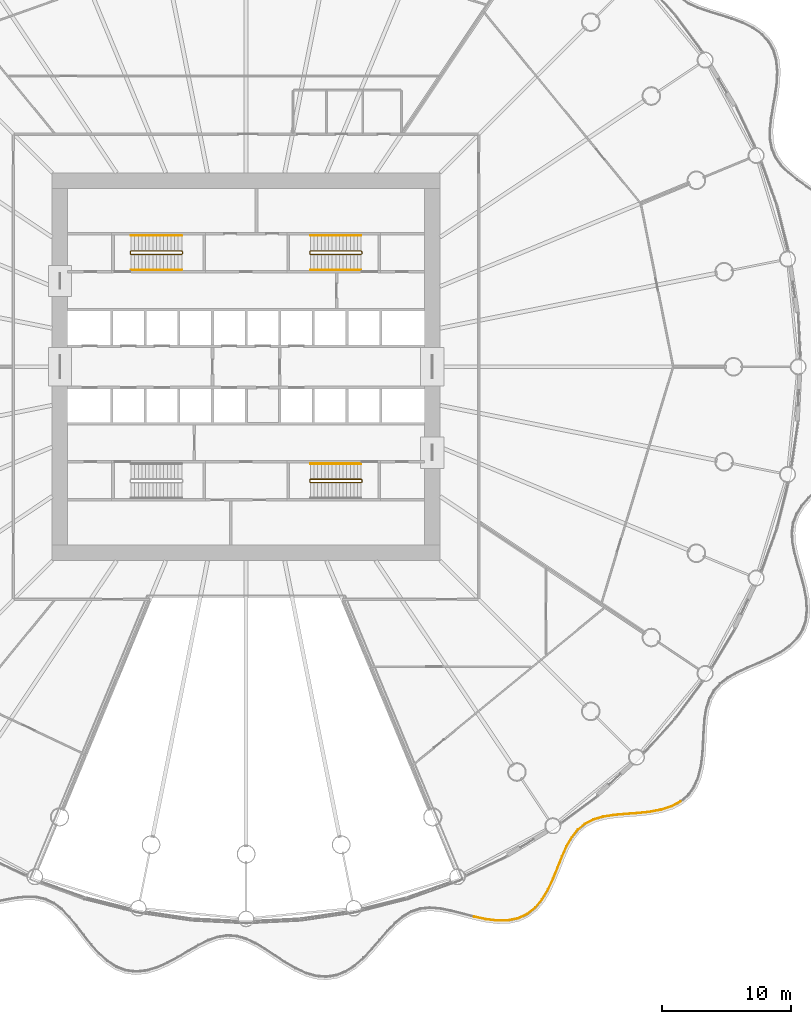
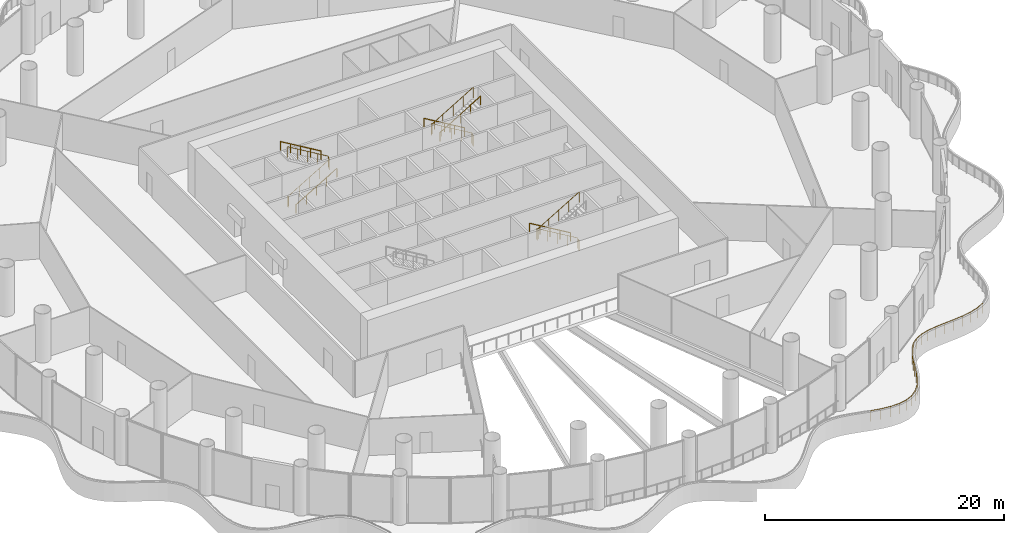
# One storey, part 33 of 36: 9 railings.
"""IFC4 building model written with IfcOpenShell, lengths in metres."""

from ifc_helpers import new_model, si_unit, direction, frame, origin, origin_2d, place, context, subcontext, project, spatial, circle, extrude, material, type_object, element, save


model = new_model("IFC4")

# Units and contexts
model_context = context("Model", 3, precision=1e-05, world=origin(), true_north=direction((0.0, 1.0)))
body_context = subcontext(model_context, "Body", "Model", "MODEL_VIEW")
ifc_project = project(units=[si_unit("LENGTHUNIT", "METRE"), si_unit("AREAUNIT", "SQUARE_METRE"), si_unit("VOLUMEUNIT", "CUBIC_METRE"), si_unit("PLANEANGLEUNIT", "RADIAN"), si_unit("MASSUNIT", "GRAM", prefix="KILO")], contexts=[model_context])

# Site, building, storey
site_placement = place(None, origin())
site = spatial("IfcSite", under=ifc_project, at=site_placement, CompositionType="ELEMENT")
building_placement = place(site_placement, origin())
building = spatial("IfcBuilding", under=site, at=building_placement, Name="Corvane Civic Tower", CompositionType="ELEMENT")
storey_placement = place(building_placement, frame((0.0, 0.0, 17.0)))
storey = spatial("IfcBuildingStorey", under=building, at=storey_placement, Name="L03", CompositionType="ELEMENT", Elevation=17.0)

# Railings
ifc_material_1 = material(Name="Steel ASTM A572 Gr 50", Category="steel")
railing_type_1 = type_object("IfcRailingType", Name="PODIUM-RL-GUARD-1100", PredefinedType="GUARDRAIL", material=ifc_material_1)
railing_1_placement = place(storey_placement, frame((17.64501953125, -42.54541015625, 0.0)))
element("IfcRailing", 1, at=railing_1_placement, inside=storey, type_object=railing_type_1, Name="L03 ribbon guard 10", PredefinedType="GUARDRAIL", context=body_context, shape_type="SweptSolid", body=[
    extrude(circle(Radius=0.02392578125, at=origin_2d()), frame((0.0, 0.0, 1.076171875), z_axis=(0.977300736575, -0.211856721135, 0.0), x_axis=(0.211856721135, 0.977300736575, 0.0)), (0.0, 0.0, 1.0), 0.90234375),
    extrude(circle(Radius=0.02392578125, at=origin_2d()), frame((0.8818359375, -0.191162109375, 1.076171875), z_axis=(0.992282078148, -0.124001118491, 0.0), x_axis=(0.124001118491, 0.992282078148, 0.0)), (0.0, 0.0, 1.0), 0.893798828125),
    extrude(circle(Radius=0.02392578125, at=origin_2d()), frame((1.768798828125, -0.302001953125, 1.076171875), z_axis=(0.999873829142, 0.015884766205, 0.0), x_axis=(-0.015884766205, 0.999873829142, 0.0)), (0.0, 0.0, 1.0), 0.84521484375),
    extrude(circle(Radius=0.02392578125, at=origin_2d()), frame((2.614013671875, -0.28857421875, 1.076171875), z_axis=(0.978559496335, 0.20596434675, 0.0), x_axis=(-0.20596434675, 0.978559496335, 0.0)), (0.0, 0.0, 1.0), 0.800048828125),
    extrude(circle(Radius=0.02392578125, at=origin_2d()), frame((3.39697265625, -0.123779296875, 1.076171875), z_axis=(0.905958848672, 0.42336575737, 0.0), x_axis=(-0.42336575737, 0.905958848672, 0.0)), (0.0, 0.0, 1.0), 0.779052734375),
    extrude(circle(Radius=0.02392578125, at=origin_2d()), frame((4.102783203125, 0.2060546875, 1.076171875), z_axis=(0.782850211169, 0.622210211161, 0.0), x_axis=(-0.622210211161, 0.782850211169, 0.0)), (0.0, 0.0, 1.0), 0.791748046875),
    extrude(circle(Radius=0.02392578125, at=origin_2d()), frame((4.72265625, 0.69873046875, 1.076171875), z_axis=(0.64055952996, 0.767908515761, 0.0), x_axis=(-0.767908515761, 0.64055952996, 0.0)), (0.0, 0.0, 1.0), 0.83203125),
    extrude(circle(Radius=0.02392578125, at=origin_2d()), frame((5.255615234375, 1.337646484375, 1.076171875), z_axis=(0.515309933617, 0.857003892824, 0.0), x_axis=(-0.857003892824, 0.515309933617, 0.0)), (0.0, 0.0, 1.0), 0.881591796875),
    extrude(circle(Radius=0.02392578125, at=origin_2d()), frame((5.7099609375, 2.09326171875, 1.076171875), z_axis=(0.424916002999, 0.905232782435, 0.0), x_axis=(-0.905232782435, 0.424916002999, 0.0)), (0.0, 0.0, 1.0), 0.921142578125),
    extrude(circle(Radius=0.02392578125, at=origin_2d()), frame((6.101318359375, 2.927001953125, 1.076171875), z_axis=(0.375844544912, 0.926682727831, 0.0), x_axis=(-0.926682727831, 0.375844544912, 0.0)), (0.0, 0.0, 1.0), 0.934814453125),
    extrude(circle(Radius=0.02392578125, at=origin_2d()), frame((6.45263671875, 3.793212890625, 1.076171875), z_axis=(0.36872877104, 0.929537031757, 0.0), x_axis=(-0.929537031757, 0.36872877104, 0.0)), (0.0, 0.0, 1.0), 0.917724609375),
    extrude(circle(Radius=0.02392578125, at=origin_2d()), frame((6.791015625, 4.646240234375, 1.076171875), z_axis=(0.407359011643, 0.913268107202, 0.0), x_axis=(-0.913268107202, 0.407359011643, 0.0)), (0.0, 0.0, 1.0), 0.8720703125),
    extrude(circle(Radius=0.02392578125, at=origin_2d()), frame((7.146240234375, 5.442626953125, 1.076171875), z_axis=(0.494547800989, 0.869150431477, 0.0), x_axis=(-0.869150431477, 0.494547800989, 0.0)), (0.0, 0.0, 1.0), 0.81005859375),
    extrude(circle(Radius=0.02392578125, at=origin_2d()), frame((7.546875, 6.146728515625, 1.076171875), z_axis=(0.625288442745, 0.780393723302, 0.0), x_axis=(-0.780393723302, 0.625288442745, 0.0)), (0.0, 0.0, 1.0), 0.75244140625),
    extrude(circle(Radius=0.02392578125, at=origin_2d()), frame((8.017333984375, 6.73388671875, 1.076171875), z_axis=(0.773218013178, 0.634140287394, 0.0), x_axis=(-0.634140287394, 0.773218013178, 0.0)), (0.0, 0.0, 1.0), 0.721435546875),
    extrude(circle(Radius=0.02392578125, at=origin_2d()), frame((8.5751953125, 7.19140625, 1.076171875), z_axis=(0.893091245841, 0.449875567909, 0.0), x_axis=(-0.449875567909, 0.893091245841, 0.0)), (0.0, 0.0, 1.0), 0.733154296875),
    extrude(circle(Radius=0.02392578125, at=origin_2d()), frame((9.22998046875, 7.521240234375, 1.076171875), z_axis=(0.960669700127, 0.277693585193, 0.0), x_axis=(-0.277693585193, 0.960669700127, 0.0)), (0.0, 0.0, 1.0), 0.78076171875),
    extrude(circle(Radius=0.02392578125, at=origin_2d()), frame((9.97998046875, 7.738037109375, 1.076171875), z_axis=(0.987942969504, 0.154818245075, 0.0), x_axis=(-0.154818245075, 0.987942969504, 0.0)), (0.0, 0.0, 1.0), 0.84375),
    extrude(circle(Radius=0.02392578125, at=origin_2d()), frame((10.8134765625, 7.86865234375, 1.076171875), z_axis=(0.996145220254, 0.087719440061, 0.0), x_axis=(-0.087719440061, 0.996145220254, 0.0)), (0.0, 0.0, 1.0), 0.89892578125),
    extrude(circle(Radius=0.02392578125, at=origin_2d()), frame((11.708984375, 7.947509765625, 1.076171875), z_axis=(0.997356492386, 0.072663794948, 0.0), x_axis=(-0.072663794948, 0.997356492386, 0.0)), (0.0, 0.0, 1.0), 0.9306640625),
    extrude(circle(Radius=0.02392578125, at=origin_2d()), frame((12.63720703125, 8.01513671875, 1.076171875), z_axis=(0.994539880598, 0.104357203395, 0.0), x_axis=(-0.104357203395, 0.994539880598, 0.0)), (0.0, 0.0, 1.0), 0.93115234375),
    extrude(circle(Radius=0.02392578125, at=origin_2d()), frame((13.563232421875, 8.1123046875, 1.076171875), z_axis=(0.983249711201, 0.182263560327, 0.0), x_axis=(-0.182263560327, 0.983249711201, 0.0)), (0.0, 0.0, 1.0), 0.90283203125),
    extrude(circle(Radius=0.02392578125, at=origin_2d()), frame((14.450927734375, 8.27685546875, 1.076171875), z_axis=(0.951552568716, 0.307486111833, 0.0), x_axis=(-0.307486111833, 0.951552568716, 0.0)), (0.0, 0.0, 1.0), 0.85595703125),
    extrude(circle(Radius=0.02392578125, at=origin_2d()), frame((15.265380859375, 8.5400390625, 1.076171875), z_axis=(0.880361004263, 0.474304229554, 0.0), x_axis=(-0.474304229554, 0.880361004263, 0.0)), (0.0, 0.0, 1.0), 0.783447265625),
    extrude(circle(Radius=0.02099609375, at=origin_2d()), origin(), (0.0, 0.0, 1.0), 1.052001953125),
    extrude(circle(Radius=0.02099609375, at=origin_2d()), frame((0.8818359375, -0.191162109375, 0.0)), (0.0, 0.0, 1.0), 1.052001953125),
    extrude(circle(Radius=0.02099609375, at=origin_2d()), frame((1.768798828125, -0.302001953125, 0.0)), (0.0, 0.0, 1.0), 1.052001953125),
    extrude(circle(Radius=0.02099609375, at=origin_2d()), frame((2.614013671875, -0.28857421875, 0.0)), (0.0, 0.0, 1.0), 1.052001953125),
    extrude(circle(Radius=0.02099609375, at=origin_2d()), frame((3.39697265625, -0.123779296875, 0.0)), (0.0, 0.0, 1.0), 1.052001953125),
    extrude(circle(Radius=0.02099609375, at=origin_2d()), frame((4.102783203125, 0.2060546875, 0.0)), (0.0, 0.0, 1.0), 1.052001953125),
    extrude(circle(Radius=0.02099609375, at=origin_2d()), frame((4.72265625, 0.69873046875, 0.0)), (0.0, 0.0, 1.0), 1.052001953125),
    extrude(circle(Radius=0.02099609375, at=origin_2d()), frame((5.255615234375, 1.337646484375, 0.0)), (0.0, 0.0, 1.0), 1.052001953125),
    extrude(circle(Radius=0.02099609375, at=origin_2d()), frame((5.7099609375, 2.09326171875, 0.0)), (0.0, 0.0, 1.0), 1.052001953125),
    extrude(circle(Radius=0.02099609375, at=origin_2d()), frame((6.101318359375, 2.927001953125, 0.0)), (0.0, 0.0, 1.0), 1.052001953125),
    extrude(circle(Radius=0.02099609375, at=origin_2d()), frame((6.45263671875, 3.793212890625, 0.0)), (0.0, 0.0, 1.0), 1.052001953125),
    extrude(circle(Radius=0.02099609375, at=origin_2d()), frame((6.791015625, 4.646240234375, 0.0)), (0.0, 0.0, 1.0), 1.052001953125),
    extrude(circle(Radius=0.02099609375, at=origin_2d()), frame((7.146240234375, 5.442626953125, 0.0)), (0.0, 0.0, 1.0), 1.052001953125),
    extrude(circle(Radius=0.02099609375, at=origin_2d()), frame((7.546875, 6.146728515625, 0.0)), (0.0, 0.0, 1.0), 1.052001953125),
    extrude(circle(Radius=0.02099609375, at=origin_2d()), frame((8.017333984375, 6.73388671875, 0.0)), (0.0, 0.0, 1.0), 1.052001953125),
    extrude(circle(Radius=0.02099609375, at=origin_2d()), frame((8.5751953125, 7.19140625, 0.0)), (0.0, 0.0, 1.0), 1.052001953125),
    extrude(circle(Radius=0.02099609375, at=origin_2d()), frame((9.22998046875, 7.521240234375, 0.0)), (0.0, 0.0, 1.0), 1.052001953125),
    extrude(circle(Radius=0.02099609375, at=origin_2d()), frame((9.97998046875, 7.738037109375, 0.0)), (0.0, 0.0, 1.0), 1.052001953125),
    extrude(circle(Radius=0.02099609375, at=origin_2d()), frame((10.8134765625, 7.86865234375, 0.0)), (0.0, 0.0, 1.0), 1.052001953125),
    extrude(circle(Radius=0.02099609375, at=origin_2d()), frame((11.708984375, 7.947509765625, 0.0)), (0.0, 0.0, 1.0), 1.052001953125),
    extrude(circle(Radius=0.02099609375, at=origin_2d()), frame((12.63720703125, 8.01513671875, 0.0)), (0.0, 0.0, 1.0), 1.052001953125),
    extrude(circle(Radius=0.02099609375, at=origin_2d()), frame((13.563232421875, 8.1123046875, 0.0)), (0.0, 0.0, 1.0), 1.052001953125),
    extrude(circle(Radius=0.02099609375, at=origin_2d()), frame((14.450927734375, 8.27685546875, 0.0)), (0.0, 0.0, 1.0), 1.052001953125),
    extrude(circle(Radius=0.02099609375, at=origin_2d()), frame((15.265380859375, 8.5400390625, 0.0)), (0.0, 0.0, 1.0), 1.052001953125),
    extrude(circle(Radius=0.02099609375, at=origin_2d()), frame((15.955078125, 8.91162109375, 0.0)), (0.0, 0.0, 1.0), 1.052001953125),
])
ifc_material_2 = material(Name="Steel ASTM A572 Gr 50", Category="steel")
railing_type_2 = type_object("IfcRailingType", Name="ST-GUARD-1100", PredefinedType="GUARDRAIL", material=ifc_material_2)
railing_2_placement = place(storey_placement, frame((8.949951171875, 8.75, 0.0)))
element("IfcRailing", 2, at=railing_2_placement, inside=storey, type_object=railing_type_2, Name="L03 ST1 stair guard 1", PredefinedType="GUARDRAIL", context=body_context, shape_type="SweptSolid", body=[
    extrude(circle(Radius=0.02392578125, at=origin_2d()), frame((0.0, 0.0, 1.076171875), z_axis=(0.0, 1.0, 0.0), x_axis=(-1.0, 0.0, 0.0)), (0.0, 0.0, 1.0), 0.14990234375),
    extrude(circle(Radius=0.02392578125, at=origin_2d()), frame((0.0, 0.14990234375, 1.076171875), z_axis=(-0.27628659633, 0.27628659633, 0.920506074601), x_axis=(-0.707106781187, -0.707106781187, 0.0)), (0.0, 0.0, 1.0), 0.18115234375),
    extrude(circle(Radius=0.02392578125, at=origin_2d()), frame((-0.050048828125, 0.199951171875, 1.24267578125), z_axis=(-0.859296244711, 0.0, 0.511478214419), x_axis=(0.0, -1.0, 0.0)), (0.0, 0.0, 1.0), 4.561767578125),
    extrude(circle(Radius=0.02392578125, at=origin_2d()), frame((-3.969970703125, 0.199951171875, 3.576171875), z_axis=(-0.707106781187, -0.707106781187, 0.0), x_axis=(0.707106781187, -0.707106781187, 0.0)), (0.0, 0.0, 1.0), 0.07080078125),
    extrude(circle(Radius=0.02392578125, at=origin_2d()), frame((-4.02001953125, 0.14990234375, 3.576171875), z_axis=(0.0, -1.0, 0.0), x_axis=(1.0, 0.0, 0.0)), (0.0, 0.0, 1.0), 0.14990234375),
    extrude(circle(Radius=0.02392578125, at=origin_2d()), frame((-4.02001953125, 0.0, 3.576171875), z_axis=(0.27628659633, -0.27628659633, 0.920506074601), x_axis=(0.707106781187, 0.707106781187, 0.0)), (0.0, 0.0, 1.0), 0.18115234375),
    extrude(circle(Radius=0.02392578125, at=origin_2d()), frame((-3.969970703125, -0.050048828125, 3.74267578125), z_axis=(0.859296244711, 0.0, 0.511478214419), x_axis=(0.0, 1.0, 0.0)), (0.0, 0.0, 1.0), 4.561767578125),
    extrude(circle(Radius=0.02099609375, at=origin_2d()), origin(), (0.0, 0.0, 1.0), 1.052001953125),
    extrude(circle(Radius=0.02099609375, at=origin_2d()), frame((0.0, 0.14990234375, 0.0)), (0.0, 0.0, 1.0), 1.052001953125),
    extrude(circle(Radius=0.02099609375, at=origin_2d()), frame((-0.050048828125, 0.199951171875, 0.166748046875)), (0.0, 0.0, 1.0), 1.052001953125),
    extrude(circle(Radius=0.02099609375, at=origin_2d()), frame((-1.030029296875, 0.199951171875, 0.75)), (0.0, 0.0, 1.0), 1.052001953125),
    extrude(circle(Radius=0.02099609375, at=origin_2d()), frame((-2.010009765625, 0.199951171875, 1.33349609375)), (0.0, 0.0, 1.0), 1.052001953125),
    extrude(circle(Radius=0.02099609375, at=origin_2d()), frame((-2.989990234375, 0.199951171875, 1.916748046875)), (0.0, 0.0, 1.0), 1.052001953125),
    extrude(circle(Radius=0.02099609375, at=origin_2d()), frame((-3.969970703125, 0.199951171875, 2.5)), (0.0, 0.0, 1.0), 1.052001953125),
    extrude(circle(Radius=0.02099609375, at=origin_2d()), frame((-4.02001953125, 0.14990234375, 2.5)), (0.0, 0.0, 1.0), 1.052001953125),
    extrude(circle(Radius=0.02099609375, at=origin_2d()), frame((-4.02001953125, 0.0, 2.5)), (0.0, 0.0, 1.0), 1.052001953125),
    extrude(circle(Radius=0.02099609375, at=origin_2d()), frame((-3.969970703125, -0.050048828125, 2.666748046875)), (0.0, 0.0, 1.0), 1.052001953125),
    extrude(circle(Radius=0.02099609375, at=origin_2d()), frame((-2.989990234375, -0.050048828125, 3.25)), (0.0, 0.0, 1.0), 1.052001953125),
    extrude(circle(Radius=0.02099609375, at=origin_2d()), frame((-2.010009765625, -0.050048828125, 3.83349609375)), (0.0, 0.0, 1.0), 1.052001953125),
    extrude(circle(Radius=0.02099609375, at=origin_2d()), frame((-1.030029296875, -0.050048828125, 4.416748046875)), (0.0, 0.0, 1.0), 1.052001953125),
    extrude(circle(Radius=0.02099609375, at=origin_2d()), frame((-0.050048828125, -0.050048828125, 5.0)), (0.0, 0.0, 1.0), 1.052001953125),
])
railing_3_placement = place(storey_placement, frame((8.949951171875, -8.89990234375, 0.0)))
element("IfcRailing", 3, at=railing_3_placement, inside=storey, type_object=railing_type_2, Name="L03 ST2 stair guard 1", PredefinedType="GUARDRAIL", context=body_context, shape_type="SweptSolid", body=[
    extrude(circle(Radius=0.02392578125, at=origin_2d()), frame((0.0, 0.0, 1.076171875), z_axis=(0.0, 1.0, 0.0), x_axis=(-1.0, 0.0, 0.0)), (0.0, 0.0, 1.0), 0.14990234375),
    extrude(circle(Radius=0.02392578125, at=origin_2d()), frame((0.0, 0.14990234375, 1.076171875), z_axis=(-0.27628659633, 0.27628659633, 0.920506074601), x_axis=(-0.707106781187, -0.707106781187, 0.0)), (0.0, 0.0, 1.0), 0.18115234375),
    extrude(circle(Radius=0.02392578125, at=origin_2d()), frame((-0.050048828125, 0.199951171875, 1.24267578125), z_axis=(-0.859296244711, 0.0, 0.511478214419), x_axis=(0.0, -1.0, 0.0)), (0.0, 0.0, 1.0), 4.561767578125),
    extrude(circle(Radius=0.02392578125, at=origin_2d()), frame((-3.969970703125, 0.199951171875, 3.576171875), z_axis=(-0.707106781187, -0.707106781187, 0.0), x_axis=(0.707106781187, -0.707106781187, 0.0)), (0.0, 0.0, 1.0), 0.07080078125),
    extrude(circle(Radius=0.02392578125, at=origin_2d()), frame((-4.02001953125, 0.14990234375, 3.576171875), z_axis=(0.0, -1.0, 0.0), x_axis=(1.0, 0.0, 0.0)), (0.0, 0.0, 1.0), 0.14990234375),
    extrude(circle(Radius=0.02392578125, at=origin_2d()), frame((-4.02001953125, 0.0, 3.576171875), z_axis=(0.27628659633, -0.27628659633, 0.920506074601), x_axis=(0.707106781187, 0.707106781187, 0.0)), (0.0, 0.0, 1.0), 0.18115234375),
    extrude(circle(Radius=0.02392578125, at=origin_2d()), frame((-3.969970703125, -0.050048828125, 3.74267578125), z_axis=(0.859296244711, 0.0, 0.511478214419), x_axis=(0.0, 1.0, 0.0)), (0.0, 0.0, 1.0), 4.561767578125),
    extrude(circle(Radius=0.02099609375, at=origin_2d()), origin(), (0.0, 0.0, 1.0), 1.052001953125),
    extrude(circle(Radius=0.02099609375, at=origin_2d()), frame((0.0, 0.14990234375, 0.0)), (0.0, 0.0, 1.0), 1.052001953125),
    extrude(circle(Radius=0.02099609375, at=origin_2d()), frame((-0.050048828125, 0.199951171875, 0.166748046875)), (0.0, 0.0, 1.0), 1.052001953125),
    extrude(circle(Radius=0.02099609375, at=origin_2d()), frame((-1.030029296875, 0.199951171875, 0.75)), (0.0, 0.0, 1.0), 1.052001953125),
    extrude(circle(Radius=0.02099609375, at=origin_2d()), frame((-2.010009765625, 0.199951171875, 1.33349609375)), (0.0, 0.0, 1.0), 1.052001953125),
    extrude(circle(Radius=0.02099609375, at=origin_2d()), frame((-2.989990234375, 0.199951171875, 1.916748046875)), (0.0, 0.0, 1.0), 1.052001953125),
    extrude(circle(Radius=0.02099609375, at=origin_2d()), frame((-3.969970703125, 0.199951171875, 2.5)), (0.0, 0.0, 1.0), 1.052001953125),
    extrude(circle(Radius=0.02099609375, at=origin_2d()), frame((-4.02001953125, 0.14990234375, 2.5)), (0.0, 0.0, 1.0), 1.052001953125),
    extrude(circle(Radius=0.02099609375, at=origin_2d()), frame((-4.02001953125, 0.0, 2.5)), (0.0, 0.0, 1.0), 1.052001953125),
    extrude(circle(Radius=0.02099609375, at=origin_2d()), frame((-3.969970703125, -0.050048828125, 2.666748046875)), (0.0, 0.0, 1.0), 1.052001953125),
    extrude(circle(Radius=0.02099609375, at=origin_2d()), frame((-2.989990234375, -0.050048828125, 3.25)), (0.0, 0.0, 1.0), 1.052001953125),
    extrude(circle(Radius=0.02099609375, at=origin_2d()), frame((-2.010009765625, -0.050048828125, 3.83349609375)), (0.0, 0.0, 1.0), 1.052001953125),
    extrude(circle(Radius=0.02099609375, at=origin_2d()), frame((-1.030029296875, -0.050048828125, 4.416748046875)), (0.0, 0.0, 1.0), 1.052001953125),
    extrude(circle(Radius=0.02099609375, at=origin_2d()), frame((-0.050048828125, -0.050048828125, 5.0)), (0.0, 0.0, 1.0), 1.052001953125),
])
railing_4_placement = place(storey_placement, frame((-8.949951171875, 8.89990234375, 0.0)))
element("IfcRailing", 4, at=railing_4_placement, inside=storey, type_object=railing_type_2, Name="L03 ST4 stair guard 1", PredefinedType="GUARDRAIL", context=body_context, shape_type="SweptSolid", body=[
    extrude(circle(Radius=0.02392578125, at=origin_2d()), frame((0.0, 0.0, 1.076171875), z_axis=(0.0, -1.0, 0.0), x_axis=(1.0, 0.0, 0.0)), (0.0, 0.0, 1.0), 0.14990234375),
    extrude(circle(Radius=0.02392578125, at=origin_2d()), frame((0.0, -0.14990234375, 1.076171875), z_axis=(0.27628659633, -0.27628659633, 0.920506074601), x_axis=(0.707106781187, 0.707106781187, 0.0)), (0.0, 0.0, 1.0), 0.18115234375),
    extrude(circle(Radius=0.02392578125, at=origin_2d()), frame((0.050048828125, -0.199951171875, 1.24267578125), z_axis=(0.859296244711, 0.0, 0.511478214419), x_axis=(0.0, 1.0, 0.0)), (0.0, 0.0, 1.0), 4.561767578125),
    extrude(circle(Radius=0.02392578125, at=origin_2d()), frame((3.969970703125, -0.199951171875, 3.576171875), z_axis=(0.707106781187, 0.707106781187, 0.0), x_axis=(-0.707106781187, 0.707106781187, 0.0)), (0.0, 0.0, 1.0), 0.07080078125),
    extrude(circle(Radius=0.02392578125, at=origin_2d()), frame((4.02001953125, -0.14990234375, 3.576171875), z_axis=(0.0, 1.0, 0.0), x_axis=(-1.0, 0.0, 0.0)), (0.0, 0.0, 1.0), 0.14990234375),
    extrude(circle(Radius=0.02392578125, at=origin_2d()), frame((4.02001953125, 0.0, 3.576171875), z_axis=(-0.27628659633, 0.27628659633, 0.920506074601), x_axis=(-0.707106781187, -0.707106781187, 0.0)), (0.0, 0.0, 1.0), 0.18115234375),
    extrude(circle(Radius=0.02392578125, at=origin_2d()), frame((3.969970703125, 0.050048828125, 3.74267578125), z_axis=(-0.859296244711, 0.0, 0.511478214419), x_axis=(0.0, -1.0, 0.0)), (0.0, 0.0, 1.0), 4.561767578125),
    extrude(circle(Radius=0.02099609375, at=origin_2d()), origin(), (0.0, 0.0, 1.0), 1.052001953125),
    extrude(circle(Radius=0.02099609375, at=origin_2d()), frame((0.0, -0.14990234375, 0.0)), (0.0, 0.0, 1.0), 1.052001953125),
    extrude(circle(Radius=0.02099609375, at=origin_2d()), frame((0.050048828125, -0.199951171875, 0.166748046875)), (0.0, 0.0, 1.0), 1.052001953125),
    extrude(circle(Radius=0.02099609375, at=origin_2d()), frame((1.030029296875, -0.199951171875, 0.75)), (0.0, 0.0, 1.0), 1.052001953125),
    extrude(circle(Radius=0.02099609375, at=origin_2d()), frame((2.010009765625, -0.199951171875, 1.33349609375)), (0.0, 0.0, 1.0), 1.052001953125),
    extrude(circle(Radius=0.02099609375, at=origin_2d()), frame((2.989990234375, -0.199951171875, 1.916748046875)), (0.0, 0.0, 1.0), 1.052001953125),
    extrude(circle(Radius=0.02099609375, at=origin_2d()), frame((3.969970703125, -0.199951171875, 2.5)), (0.0, 0.0, 1.0), 1.052001953125),
    extrude(circle(Radius=0.02099609375, at=origin_2d()), frame((4.02001953125, -0.14990234375, 2.5)), (0.0, 0.0, 1.0), 1.052001953125),
    extrude(circle(Radius=0.02099609375, at=origin_2d()), frame((4.02001953125, 0.0, 2.5)), (0.0, 0.0, 1.0), 1.052001953125),
    extrude(circle(Radius=0.02099609375, at=origin_2d()), frame((3.969970703125, 0.050048828125, 2.666748046875)), (0.0, 0.0, 1.0), 1.052001953125),
    extrude(circle(Radius=0.02099609375, at=origin_2d()), frame((2.989990234375, 0.050048828125, 3.25)), (0.0, 0.0, 1.0), 1.052001953125),
    extrude(circle(Radius=0.02099609375, at=origin_2d()), frame((2.010009765625, 0.050048828125, 3.83349609375)), (0.0, 0.0, 1.0), 1.052001953125),
    extrude(circle(Radius=0.02099609375, at=origin_2d()), frame((1.030029296875, 0.050048828125, 4.416748046875)), (0.0, 0.0, 1.0), 1.052001953125),
    extrude(circle(Radius=0.02099609375, at=origin_2d()), frame((0.050048828125, 0.050048828125, 5.0)), (0.0, 0.0, 1.0), 1.052001953125),
])
ifc_material_3 = material(Name="Steel ASTM A572 Gr 50", Category="steel")
railing_type_3 = type_object("IfcRailingType", Name="ST-HANDRAIL-900", PredefinedType="HANDRAIL", material=ifc_material_3)
railing_5_placement = place(storey_placement, frame((8.89990234375, 10.14990234375, 0.166748046875)))
element("IfcRailing", 5, at=railing_5_placement, inside=storey, type_object=railing_type_3, Name="L03 ST1 stair handrail 1", PredefinedType="HANDRAIL", context=body_context, shape_type="SweptSolid", body=[
    extrude(circle(Radius=0.02392578125, at=origin_2d()), frame((0.0, 0.0, 0.8759765625), z_axis=(-0.859296244711, 0.0, 0.511478214419), x_axis=(0.0, -1.0, 0.0)), (0.0, 0.0, 1.0), 4.561767578125),
    extrude(circle(Radius=0.02099609375, at=origin_2d()), origin(), (0.0, 0.0, 1.0), 0.851806640625),
    extrude(circle(Radius=0.02099609375, at=origin_2d()), frame((-0.97998046875, 0.0, 0.583251953125)), (0.0, 0.0, 1.0), 0.851806640625),
    extrude(circle(Radius=0.02099609375, at=origin_2d()), frame((-1.9599609375, 0.0, 1.16650390625)), (0.0, 0.0, 1.0), 0.851806640625),
    extrude(circle(Radius=0.02099609375, at=origin_2d()), frame((-2.93994140625, 0.0, 1.75)), (0.0, 0.0, 1.0), 0.851806640625),
    extrude(circle(Radius=0.02099609375, at=origin_2d()), frame((-3.919921875, 0.0, 2.333251953125)), (0.0, 0.0, 1.0), 0.851806640625),
])
railing_6_placement = place(storey_placement, frame((4.97998046875, 7.5, 2.666748046875)))
element("IfcRailing", 6, at=railing_6_placement, inside=storey, type_object=railing_type_3, Name="L03 ST1 stair handrail 2", PredefinedType="HANDRAIL", context=body_context, shape_type="SweptSolid", body=[
    extrude(circle(Radius=0.02392578125, at=origin_2d()), frame((0.0, 0.0, 0.8759765625), z_axis=(0.859296244711, 0.0, 0.511478214419), x_axis=(0.0, 1.0, 0.0)), (0.0, 0.0, 1.0), 4.561767578125),
    extrude(circle(Radius=0.02099609375, at=origin_2d()), origin(), (0.0, 0.0, 1.0), 0.851806640625),
    extrude(circle(Radius=0.02099609375, at=origin_2d()), frame((0.97998046875, 0.0, 0.583251953125)), (0.0, 0.0, 1.0), 0.851806640625),
    extrude(circle(Radius=0.02099609375, at=origin_2d()), frame((1.9599609375, 0.0, 1.16650390625)), (0.0, 0.0, 1.0), 0.851806640625),
    extrude(circle(Radius=0.02099609375, at=origin_2d()), frame((2.93994140625, 0.0, 1.75)), (0.0, 0.0, 1.0), 0.851806640625),
    extrude(circle(Radius=0.02099609375, at=origin_2d()), frame((3.919921875, 0.0, 2.333251953125)), (0.0, 0.0, 1.0), 0.851806640625),
])
railing_7_placement = place(storey_placement, frame((8.89990234375, -7.5, 0.166748046875)))
element("IfcRailing", 7, at=railing_7_placement, inside=storey, type_object=railing_type_3, Name="L03 ST2 stair handrail 1", PredefinedType="HANDRAIL", context=body_context, shape_type="SweptSolid", body=[
    extrude(circle(Radius=0.02392578125, at=origin_2d()), frame((0.0, 0.0, 0.8759765625), z_axis=(-0.859296244711, 0.0, 0.511478214419), x_axis=(0.0, -1.0, 0.0)), (0.0, 0.0, 1.0), 4.561767578125),
    extrude(circle(Radius=0.02099609375, at=origin_2d()), origin(), (0.0, 0.0, 1.0), 0.851806640625),
    extrude(circle(Radius=0.02099609375, at=origin_2d()), frame((-0.97998046875, 0.0, 0.583251953125)), (0.0, 0.0, 1.0), 0.851806640625),
    extrude(circle(Radius=0.02099609375, at=origin_2d()), frame((-1.9599609375, 0.0, 1.16650390625)), (0.0, 0.0, 1.0), 0.851806640625),
    extrude(circle(Radius=0.02099609375, at=origin_2d()), frame((-2.93994140625, 0.0, 1.75)), (0.0, 0.0, 1.0), 0.851806640625),
    extrude(circle(Radius=0.02099609375, at=origin_2d()), frame((-3.919921875, 0.0, 2.333251953125)), (0.0, 0.0, 1.0), 0.851806640625),
])
railing_8_placement = place(storey_placement, frame((-8.89990234375, 7.5, 0.166748046875)))
element("IfcRailing", 8, at=railing_8_placement, inside=storey, type_object=railing_type_3, Name="L03 ST4 stair handrail 1", PredefinedType="HANDRAIL", context=body_context, shape_type="SweptSolid", body=[
    extrude(circle(Radius=0.02392578125, at=origin_2d()), frame((0.0, 0.0, 0.8759765625), z_axis=(0.859296244711, 0.0, 0.511478214419), x_axis=(0.0, 1.0, 0.0)), (0.0, 0.0, 1.0), 4.561767578125),
    extrude(circle(Radius=0.02099609375, at=origin_2d()), origin(), (0.0, 0.0, 1.0), 0.851806640625),
    extrude(circle(Radius=0.02099609375, at=origin_2d()), frame((0.97998046875, 0.0, 0.583251953125)), (0.0, 0.0, 1.0), 0.851806640625),
    extrude(circle(Radius=0.02099609375, at=origin_2d()), frame((1.9599609375, 0.0, 1.16650390625)), (0.0, 0.0, 1.0), 0.851806640625),
    extrude(circle(Radius=0.02099609375, at=origin_2d()), frame((2.93994140625, 0.0, 1.75)), (0.0, 0.0, 1.0), 0.851806640625),
    extrude(circle(Radius=0.02099609375, at=origin_2d()), frame((3.919921875, 0.0, 2.333251953125)), (0.0, 0.0, 1.0), 0.851806640625),
])
railing_9_placement = place(storey_placement, frame((-4.97998046875, 10.14990234375, 2.666748046875)))
element("IfcRailing", 9, at=railing_9_placement, inside=storey, type_object=railing_type_3, Name="L03 ST4 stair handrail 2", PredefinedType="HANDRAIL", context=body_context, shape_type="SweptSolid", body=[
    extrude(circle(Radius=0.02392578125, at=origin_2d()), frame((0.0, 0.0, 0.8759765625), z_axis=(-0.859296244711, 0.0, 0.511478214419), x_axis=(0.0, -1.0, 0.0)), (0.0, 0.0, 1.0), 4.561767578125),
    extrude(circle(Radius=0.02099609375, at=origin_2d()), origin(), (0.0, 0.0, 1.0), 0.851806640625),
    extrude(circle(Radius=0.02099609375, at=origin_2d()), frame((-0.97998046875, 0.0, 0.583251953125)), (0.0, 0.0, 1.0), 0.851806640625),
    extrude(circle(Radius=0.02099609375, at=origin_2d()), frame((-1.9599609375, 0.0, 1.16650390625)), (0.0, 0.0, 1.0), 0.851806640625),
    extrude(circle(Radius=0.02099609375, at=origin_2d()), frame((-2.93994140625, 0.0, 1.75)), (0.0, 0.0, 1.0), 0.851806640625),
    extrude(circle(Radius=0.02099609375, at=origin_2d()), frame((-3.919921875, 0.0, 2.333251953125)), (0.0, 0.0, 1.0), 0.851806640625),
])

save(model, "model.ifc")
